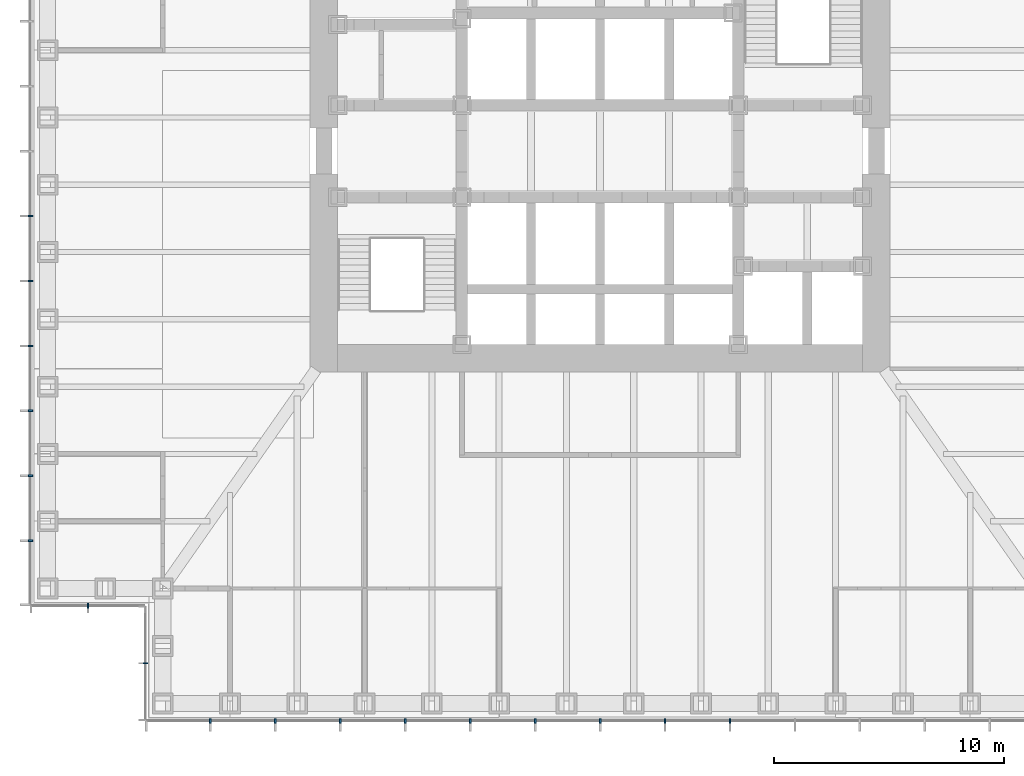
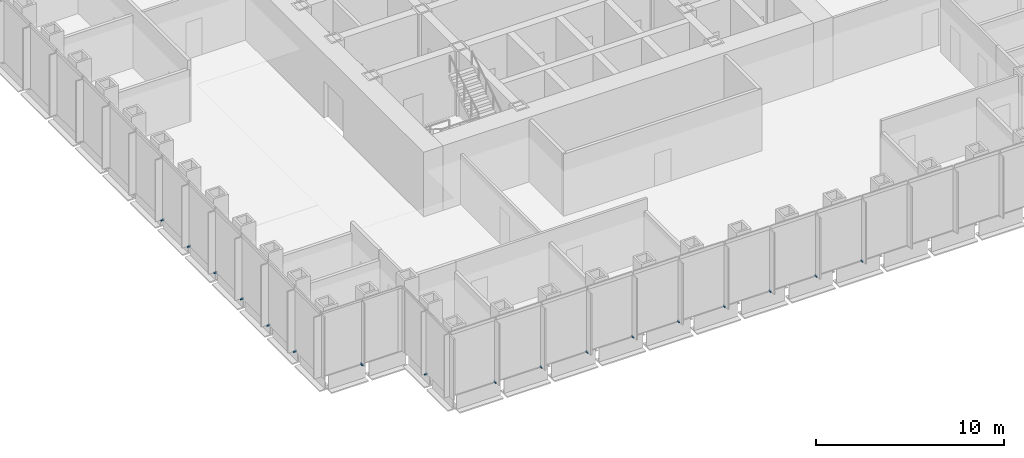
# One storey, part 12 of 17: 17 discrete accessories.
"""IFC4 building model written with IfcOpenShell, lengths in metres."""

import ifcopenshell
import ifcopenshell.guid

model = None  # the IFC model being written
_history = None  # IfcOwnerHistory: only IFC2X3 demands one
_inside = {}  # id of a spatial element -> (the spatial element, [elements in it])
_under = {}  # id of a project, library or spatial element -> (it, [spatial elements below it])
_declared = {}  # id of a project -> (the project, [libraries it declares])
_typed = {}  # id of a type object -> (the type object, [elements of that type])
_made_of = {}  # id of a material, layer set ... -> (it, [elements and type objects made of it])


def new_model(schema):
    """Start an empty IFC model of exactly this schema.

    Asked for "IFC4X3", IfcOpenShell would pick the latest addendum, in which some entities
    have other attributes; the version numbers below select the first issue.
    IFC2X3 requires an IfcOwnerHistory on every rooted entity: one is made here for all.
    """
    global model, _history
    if schema == "IFC4X3":
        model = ifcopenshell.file(schema_version=(4, 3, 0, 0))
    else:
        model = ifcopenshell.file(schema=schema)
    _inside.clear()
    _under.clear()
    _declared.clear()
    _typed.clear()
    _made_of.clear()
    _history = None
    if model.schema == "IFC2X3":
        org = make("IfcOrganization", Name="unknown")
        user = make(
            "IfcPersonAndOrganization",
            ThePerson=make("IfcPerson", FamilyName="unknown"),
            TheOrganization=org,
        )
        app = make(
            "IfcApplication",
            ApplicationDeveloper=org,
            Version="unknown",
            ApplicationFullName="unknown",
            ApplicationIdentifier="unknown",
        )
        _history = make(
            "IfcOwnerHistory",
            OwningUser=user,
            OwningApplication=app,
            ChangeAction="ADDED",
            CreationDate=0,
        )
    return model


def make(cls, **values):
    """One entity of the class cls with the attributes given. An attribute that is None is left unset."""
    return model.create_entity(
        cls, **{name: value for name, value in values.items() if value is not None}
    )


def rooted(cls, **values):
    """An entity with a GlobalId (a new one), such as an element, a storey or a relation."""
    return make(cls, GlobalId=ifcopenshell.guid.new(), OwnerHistory=_history, **values)


def si_unit(unit_type, name, prefix=None):
    """IfcSIUnit, for example si_unit("LENGTHUNIT", "METRE", prefix="MILLI")."""
    return make("IfcSIUnit", UnitType=unit_type, Prefix=prefix, Name=name)


def assignment(units):
    """IfcUnitAssignment: the units of a project."""
    return None if units is None else make("IfcUnitAssignment", Units=units)


def point(xyz):
    """IfcCartesianPoint."""
    return None if xyz is None else make("IfcCartesianPoint", Coordinates=xyz)


def direction(xyz):
    """IfcDirection."""
    return None if xyz is None else make("IfcDirection", DirectionRatios=xyz)


def frame(location, z_axis=None, x_axis=None):
    """IfcAxis2Placement3D, a coordinate frame: its origin and axes. An axis left out is left unset."""
    return make(
        "IfcAxis2Placement3D",
        Location=point(location),
        Axis=direction(z_axis),
        RefDirection=direction(x_axis),
    )


def frame_2d(location, x_axis=None):
    """IfcAxis2Placement2D, a coordinate frame in the plane: its origin and x axis."""
    return make(
        "IfcAxis2Placement2D", Location=point(location), RefDirection=direction(x_axis)
    )


def origin():
    """The frame at (0, 0, 0) with its axes left unset."""
    return frame((0.0, 0.0, 0.0))


def origin_2d():
    """The frame at (0, 0) in the plane with its x axis left unset."""
    return frame_2d((0.0, 0.0))


def place(relative_to, where):
    """IfcLocalPlacement: puts the frame where relative to a parent placement (None: the world)."""
    return make(
        "IfcLocalPlacement", PlacementRelTo=relative_to, RelativePlacement=where
    )


def context(
    kind, dimensions, precision=None, world=None, true_north=None, identifier=None
):
    """IfcGeometricRepresentationContext, for example the 3D "Model" context."""
    return make(
        "IfcGeometricRepresentationContext",
        ContextIdentifier=identifier,
        ContextType=kind,
        CoordinateSpaceDimension=dimensions,
        Precision=precision,
        WorldCoordinateSystem=world,
        TrueNorth=true_north,
    )


def subcontext(parent, identifier, kind, view, scale=None):
    """IfcGeometricRepresentationSubContext, for example "Body" below "Model"."""
    return make(
        "IfcGeometricRepresentationSubContext",
        ContextIdentifier=identifier,
        ContextType=kind,
        ParentContext=parent,
        TargetScale=scale,
        TargetView=view,
    )


def project(units=None, contexts=None):
    """IfcProject with its units and contexts."""
    return rooted(
        "IfcProject",
        Name="project",
        RepresentationContexts=contexts,
        UnitsInContext=assignment(units),
    )


def spatial(cls, under=None, at=None, **own):
    """A site, building, storey or space (cls), placed at a placement, below another one or the project."""
    s = rooted(cls, ObjectPlacement=at, **own)
    if under is not None:
        _under.setdefault(under.id(), (under, []))[1].append(s)
    return s


def profile(cls, at=None, kind="AREA", **sizes):
    """A parametric profile (cls). Its sizes go by their IFC names, for example OverallWidth=200.0."""
    return make(cls, ProfileType=kind, Position=at, **sizes)


def rectangle(**sizes):
    """IfcRectangleProfileDef."""
    return profile("IfcRectangleProfileDef", **sizes)


def extrude(swept, where, along, depth):
    """IfcExtrudedAreaSolid: the profile swept, set in the frame where, extruded along a direction by depth."""
    return make(
        "IfcExtrudedAreaSolid",
        SweptArea=swept,
        Position=where,
        ExtrudedDirection=direction(along),
        Depth=depth,
    )


def shape(context_of_items, identifier, shape_type, items):
    """IfcShapeRepresentation: the items that make up one representation, for example the "Body"."""
    return make(
        "IfcShapeRepresentation",
        ContextOfItems=context_of_items,
        RepresentationIdentifier=identifier,
        RepresentationType=shape_type,
        Items=items,
    )


def made_of(thing, what):
    """Note that an element or type object is made of a material, layer set ...; save() writes the relation."""
    if what is not None:
        _made_of.setdefault(what.id(), (what, []))[1].append(thing)
    return thing


def element(
    cls,
    number,
    at=None,
    inside=None,
    cuts=None,
    type_object=None,
    material=None,
    context=None,
    identifier="Body",
    shape_type=None,
    held_by="IfcProductDefinitionShape",
    body=None,
    shapes=None,
    **own,
):
    """One element of the class cls, such as IfcWall. Its Tag is "e" and its number.

    at: its placement. inside: the storey or other place that contains it. cuts: it is an
    opening in that element (IfcRelVoidsElement). A single representation is given by context,
    identifier, shape_type and body (its items); several are given by shapes. held_by: the class
    of the entity that holds the representations. save() writes the other relations.
    """
    e = rooted(cls, Tag="e%d" % number, ObjectPlacement=at, **own)
    if body is not None:
        shapes = [shape(context, identifier, shape_type, body)]
    if shapes is not None:
        e.Representation = make(held_by, Representations=shapes)
    if inside is not None:
        _inside.setdefault(inside.id(), (inside, []))[1].append(e)
    if cuts is not None:
        rooted(
            "IfcRelVoidsElement", RelatingBuildingElement=cuts, RelatedOpeningElement=e
        )
    if type_object is not None:
        _typed.setdefault(type_object.id(), (type_object, []))[1].append(e)
    return made_of(e, material)


def aggregate(whole, parts):
    """IfcRelAggregates: a whole, such as a stair, and the parts it consists of."""
    return rooted("IfcRelAggregates", RelatingObject=whole, RelatedObjects=parts)


def save(model, path):
    """Write the relations noted so far, then the file.

    IfcRelAggregates (storeys below a building ...), IfcRelContainedInSpatialStructure (elements
    in a storey), IfcRelDefinesByType, IfcRelAssociatesMaterial and IfcRelDeclares: one each for
    every whole, place, type object, material and project.
    """
    for whole, parts in _under.values():
        aggregate(whole, parts)
    for where, things in _inside.values():
        rooted(
            "IfcRelContainedInSpatialStructure",
            RelatedElements=things,
            RelatingStructure=where,
        )
    for kind, things in _typed.values():
        rooted("IfcRelDefinesByType", RelatedObjects=things, RelatingType=kind)
    for what, things in _made_of.values():
        rooted("IfcRelAssociatesMaterial", RelatedObjects=things, RelatingMaterial=what)
    for by, libraries in _declared.values():
        rooted("IfcRelDeclares", RelatingContext=by, RelatedDefinitions=libraries)
    model.write(path)


model = new_model("IFC4")

# Units and contexts
model_context = context("Model", 3, precision=1e-05, world=origin(), true_north=direction((0.0, 1.0)))
body_context = subcontext(model_context, "Body", "Model", "MODEL_VIEW")
ifc_project = project(units=[si_unit("LENGTHUNIT", "METRE"), si_unit("AREAUNIT", "SQUARE_METRE"), si_unit("VOLUMEUNIT", "CUBIC_METRE"), si_unit("PLANEANGLEUNIT", "RADIAN"), si_unit("MASSUNIT", "GRAM", prefix="KILO")], contexts=[model_context])

# Site, building, storey
site_placement = place(None, origin())
site = spatial("IfcSite", under=ifc_project, at=site_placement, CompositionType="ELEMENT")
building_placement = place(site_placement, origin())
building = spatial("IfcBuilding", under=site, at=building_placement, Name="Daluyong Arena Tower", CompositionType="ELEMENT")
storey_placement = place(building_placement, frame((0.0, 0.0, 81.10009765625)))
storey = spatial("IfcBuildingStorey", under=building, at=storey_placement, Name="L17", CompositionType="ELEMENT", Elevation=81.10009765625)

# Discrete accessories
for number, where, z_axis, x_axis, name in (
    (1, (39.071533203125, 55.25, -0.10009765625), (0.0, 0.0, 1.0), (1.0, 0.0, 0.0), "curtain wall L17 S anchor bracket 2"),
    (2, (41.892822265625, 55.25, -0.10009765625), (0.0, 0.0, 1.0), (1.0, 0.0, 0.0), "curtain wall L17 S anchor bracket 3"),
    (3, (44.71435546875, 55.25, -0.10009765625), (0.0, 0.0, 1.0), (1.0, 0.0, 0.0), "curtain wall L17 S anchor bracket 4"),
    (4, (47.53564453125, 55.25, -0.10009765625), (0.0, 0.0, 1.0), (1.0, 0.0, 0.0), "curtain wall L17 S anchor bracket 5"),
    (5, (50.357177734375, 55.25, -0.10009765625), (0.0, 0.0, 1.0), (1.0, 0.0, 0.0), "curtain wall L17 S anchor bracket 6"),
    (6, (53.178466796875, 55.25, -0.10009765625), (0.0, 0.0, 1.0), (1.0, 0.0, 0.0), "curtain wall L17 S anchor bracket 7"),
    (7, (56.0, 55.25, -0.10009765625), (0.0, 0.0, 1.0), (1.0, 0.0, 0.0), "curtain wall L17 S anchor bracket 8"),
    (8, (58.821533203125, 55.25, -0.10009765625), (0.0, 0.0, 1.0), (1.0, 0.0, 0.0), "curtain wall L17 S anchor bracket 9"),
    (9, (61.642822265625, 55.25, -0.10009765625), (0.0, 0.0, 1.0), (1.0, 0.0, 0.0), "curtain wall L17 S anchor bracket 10"),
    (10, (31.25, 77.178466796875, -0.10009765625), (0.0, 0.0, 1.0), (0.0, -1.0, 0.0), "curtain wall L17 W anchor bracket 9"),
    (11, (31.25, 74.357177734375, -0.10009765625), (0.0, 0.0, 1.0), (0.0, -1.0, 0.0), "curtain wall L17 W anchor bracket 10"),
    (12, (31.25, 71.53564453125, -0.10009765625), (0.0, 0.0, 1.0), (0.0, -1.0, 0.0), "curtain wall L17 W anchor bracket 11"),
    (13, (31.25, 68.71435546875, -0.10009765625), (0.0, 0.0, 1.0), (0.0, -1.0, 0.0), "curtain wall L17 W anchor bracket 12"),
    (14, (31.25, 65.892822265625, -0.10009765625), (0.0, 0.0, 1.0), (0.0, -1.0, 0.0), "curtain wall L17 W anchor bracket 13"),
    (15, (31.25, 63.071533203125, -0.10009765625), (0.0, 0.0, 1.0), (0.0, -1.0, 0.0), "curtain wall L17 W anchor bracket 14"),
):
    element("IfcDiscreteAccessory", number, at=place(storey_placement, frame(where, z_axis=z_axis, x_axis=x_axis)), inside=storey, Name=name, PredefinedType="BRACKET", context=body_context, shape_type="SweptSolid", body=[
        extrude(rectangle(XDim=0.080078125, YDim=0.199951171875, at=origin_2d()), origin(), (0.0, 0.0, 1.0), 0.10009765625),
    ])
for number, where, z_axis, x_axis, name in (
    (16, (33.75, 60.25, -0.10009765625), (0.0, 0.0, 1.0), (1.0, 0.0, 0.0), "curtain wall L17 SW-S anchor bracket 2"),
    (17, (36.25, 57.75, -0.10009765625), (0.0, 0.0, 1.0), (0.0, -1.0, 0.0), "curtain wall L17 SW-W anchor bracket 2"),
):
    element("IfcDiscreteAccessory", number, at=place(storey_placement, frame(where, z_axis=z_axis, x_axis=x_axis)), inside=storey, Name=name, PredefinedType="BRACKET", context=body_context, shape_type="SweptSolid", body=[
        extrude(rectangle(XDim=0.06005859375, YDim=0.199951171875, at=origin_2d()), origin(), (0.0, 0.0, 1.0), 0.10009765625),
    ])

save(model, "model.ifc")
